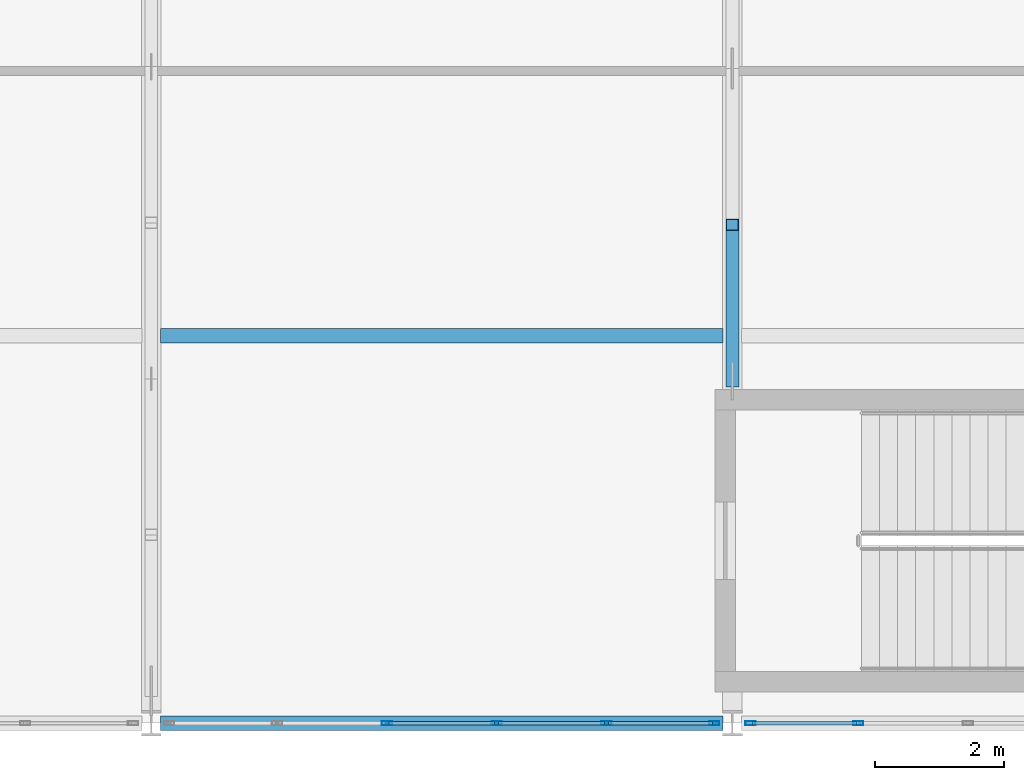
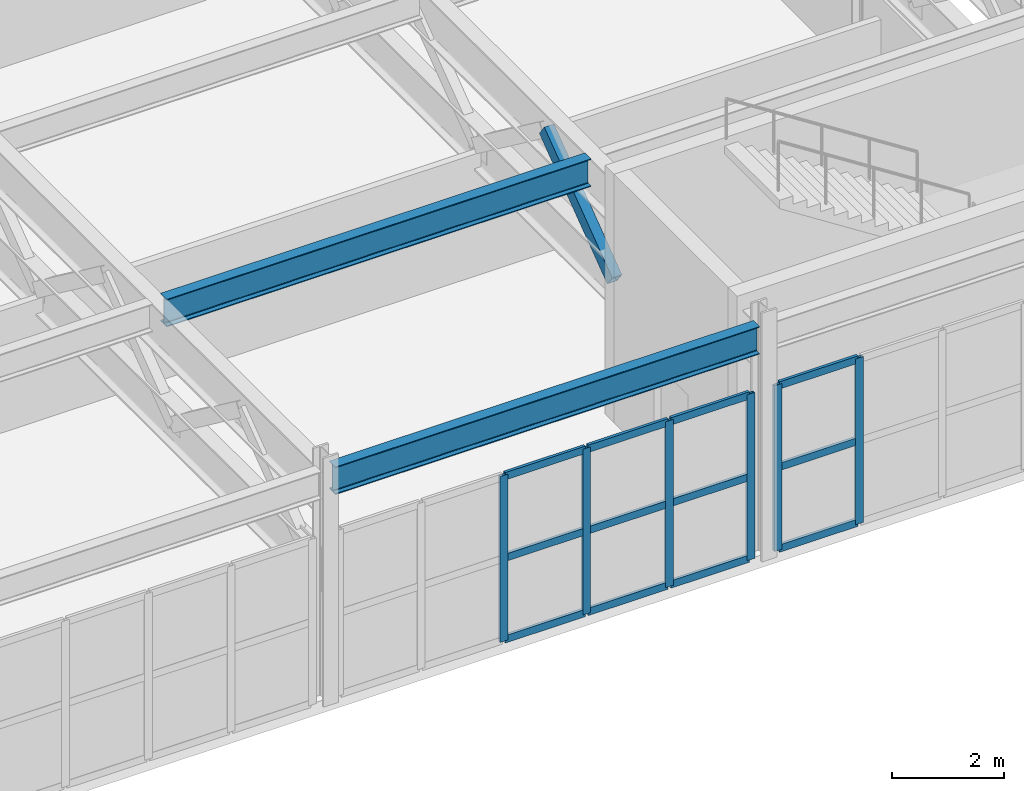
# One storey, part 39 of 210: 19 members, 2 beams, 2 elements without a shape of their own.
"""IFC4 building model written with IfcOpenShell, lengths in metres."""

import ifcopenshell
import ifcopenshell.guid

model = None  # the IFC model being written
_history = None  # IfcOwnerHistory: only IFC2X3 demands one
_inside = {}  # id of a spatial element -> (the spatial element, [elements in it])
_under = {}  # id of a project, library or spatial element -> (it, [spatial elements below it])
_declared = {}  # id of a project -> (the project, [libraries it declares])
_typed = {}  # id of a type object -> (the type object, [elements of that type])
_made_of = {}  # id of a material, layer set ... -> (it, [elements and type objects made of it])


def new_model(schema):
    """Start an empty IFC model of exactly this schema.

    Asked for "IFC4X3", IfcOpenShell would pick the latest addendum, in which some entities
    have other attributes; the version numbers below select the first issue.
    IFC2X3 requires an IfcOwnerHistory on every rooted entity: one is made here for all.
    """
    global model, _history
    if schema == "IFC4X3":
        model = ifcopenshell.file(schema_version=(4, 3, 0, 0))
    else:
        model = ifcopenshell.file(schema=schema)
    _inside.clear()
    _under.clear()
    _declared.clear()
    _typed.clear()
    _made_of.clear()
    _history = None
    if model.schema == "IFC2X3":
        org = make("IfcOrganization", Name="unknown")
        user = make(
            "IfcPersonAndOrganization",
            ThePerson=make("IfcPerson", FamilyName="unknown"),
            TheOrganization=org,
        )
        app = make(
            "IfcApplication",
            ApplicationDeveloper=org,
            Version="unknown",
            ApplicationFullName="unknown",
            ApplicationIdentifier="unknown",
        )
        _history = make(
            "IfcOwnerHistory",
            OwningUser=user,
            OwningApplication=app,
            ChangeAction="ADDED",
            CreationDate=0,
        )
    return model


def make(cls, **values):
    """One entity of the class cls with the attributes given. An attribute that is None is left unset."""
    return model.create_entity(
        cls, **{name: value for name, value in values.items() if value is not None}
    )


def rooted(cls, **values):
    """An entity with a GlobalId (a new one), such as an element, a storey or a relation."""
    return make(cls, GlobalId=ifcopenshell.guid.new(), OwnerHistory=_history, **values)


def si_unit(unit_type, name, prefix=None):
    """IfcSIUnit, for example si_unit("LENGTHUNIT", "METRE", prefix="MILLI")."""
    return make("IfcSIUnit", UnitType=unit_type, Prefix=prefix, Name=name)


def assignment(units):
    """IfcUnitAssignment: the units of a project."""
    return None if units is None else make("IfcUnitAssignment", Units=units)


def point(xyz):
    """IfcCartesianPoint."""
    return None if xyz is None else make("IfcCartesianPoint", Coordinates=xyz)


def direction(xyz):
    """IfcDirection."""
    return None if xyz is None else make("IfcDirection", DirectionRatios=xyz)


def frame(location, z_axis=None, x_axis=None):
    """IfcAxis2Placement3D, a coordinate frame: its origin and axes. An axis left out is left unset."""
    return make(
        "IfcAxis2Placement3D",
        Location=point(location),
        Axis=direction(z_axis),
        RefDirection=direction(x_axis),
    )


def frame_2d(location, x_axis=None):
    """IfcAxis2Placement2D, a coordinate frame in the plane: its origin and x axis."""
    return make(
        "IfcAxis2Placement2D", Location=point(location), RefDirection=direction(x_axis)
    )


def origin():
    """The frame at (0, 0, 0) with its axes left unset."""
    return frame((0.0, 0.0, 0.0))


def origin_2d():
    """The frame at (0, 0) in the plane with its x axis left unset."""
    return frame_2d((0.0, 0.0))


def place(relative_to, where):
    """IfcLocalPlacement: puts the frame where relative to a parent placement (None: the world)."""
    return make(
        "IfcLocalPlacement", PlacementRelTo=relative_to, RelativePlacement=where
    )


def context(
    kind, dimensions, precision=None, world=None, true_north=None, identifier=None
):
    """IfcGeometricRepresentationContext, for example the 3D "Model" context."""
    return make(
        "IfcGeometricRepresentationContext",
        ContextIdentifier=identifier,
        ContextType=kind,
        CoordinateSpaceDimension=dimensions,
        Precision=precision,
        WorldCoordinateSystem=world,
        TrueNorth=true_north,
    )


def subcontext(parent, identifier, kind, view, scale=None):
    """IfcGeometricRepresentationSubContext, for example "Body" below "Model"."""
    return make(
        "IfcGeometricRepresentationSubContext",
        ContextIdentifier=identifier,
        ContextType=kind,
        ParentContext=parent,
        TargetScale=scale,
        TargetView=view,
    )


def project(units=None, contexts=None):
    """IfcProject with its units and contexts."""
    return rooted(
        "IfcProject",
        Name="project",
        RepresentationContexts=contexts,
        UnitsInContext=assignment(units),
    )


def spatial(cls, under=None, at=None, **own):
    """A site, building, storey or space (cls), placed at a placement, below another one or the project."""
    s = rooted(cls, ObjectPlacement=at, **own)
    if under is not None:
        _under.setdefault(under.id(), (under, []))[1].append(s)
    return s


def profile(cls, at=None, kind="AREA", **sizes):
    """A parametric profile (cls). Its sizes go by their IFC names, for example OverallWidth=200.0."""
    return make(cls, ProfileType=kind, Position=at, **sizes)


def hollow_rectangle(**sizes):
    """IfcRectangleHollowProfileDef."""
    return profile("IfcRectangleHollowProfileDef", **sizes)


def i_section(**sizes):
    """IfcIShapeProfileDef."""
    return profile("IfcIShapeProfileDef", **sizes)


def extrude(swept, where, along, depth):
    """IfcExtrudedAreaSolid: the profile swept, set in the frame where, extruded along a direction by depth."""
    return make(
        "IfcExtrudedAreaSolid",
        SweptArea=swept,
        Position=where,
        ExtrudedDirection=direction(along),
        Depth=depth,
    )


def shape(context_of_items, identifier, shape_type, items):
    """IfcShapeRepresentation: the items that make up one representation, for example the "Body"."""
    return make(
        "IfcShapeRepresentation",
        ContextOfItems=context_of_items,
        RepresentationIdentifier=identifier,
        RepresentationType=shape_type,
        Items=items,
    )


def material(Name=None, Category=None):
    """IfcMaterial."""
    return make("IfcMaterial", Name=Name, Category=Category)


def material_profile(
    of_material, cross_section, Name=None, Category=None, Priority=None
):
    """IfcMaterialProfile: a cross section and its material."""
    return make(
        "IfcMaterialProfile",
        Name=Name,
        Material=of_material,
        Profile=cross_section,
        Priority=Priority,
        Category=Category,
    )


def profile_set(profiles, Name=None, composite=None):
    """IfcMaterialProfileSet."""
    return make(
        "IfcMaterialProfileSet",
        Name=Name,
        MaterialProfiles=profiles,
        CompositeProfile=composite,
    )


def made_of(thing, what):
    """Note that an element or type object is made of a material, layer set ...; save() writes the relation."""
    if what is not None:
        _made_of.setdefault(what.id(), (what, []))[1].append(thing)
    return thing


def type_object(cls, material=None, **own):
    """A type object (cls), such as IfcWallType, which elements share."""
    return made_of(rooted(cls, **own), material)


def element(
    cls,
    number,
    at=None,
    inside=None,
    cuts=None,
    type_object=None,
    material=None,
    context=None,
    identifier="Body",
    shape_type=None,
    held_by="IfcProductDefinitionShape",
    body=None,
    shapes=None,
    **own,
):
    """One element of the class cls, such as IfcWall. Its Tag is "e" and its number.

    at: its placement. inside: the storey or other place that contains it. cuts: it is an
    opening in that element (IfcRelVoidsElement). A single representation is given by context,
    identifier, shape_type and body (its items); several are given by shapes. held_by: the class
    of the entity that holds the representations. save() writes the other relations.
    """
    e = rooted(cls, Tag="e%d" % number, ObjectPlacement=at, **own)
    if body is not None:
        shapes = [shape(context, identifier, shape_type, body)]
    if shapes is not None:
        e.Representation = make(held_by, Representations=shapes)
    if inside is not None:
        _inside.setdefault(inside.id(), (inside, []))[1].append(e)
    if cuts is not None:
        rooted(
            "IfcRelVoidsElement", RelatingBuildingElement=cuts, RelatedOpeningElement=e
        )
    if type_object is not None:
        _typed.setdefault(type_object.id(), (type_object, []))[1].append(e)
    return made_of(e, material)


def aggregate(whole, parts):
    """IfcRelAggregates: a whole, such as a stair, and the parts it consists of."""
    return rooted("IfcRelAggregates", RelatingObject=whole, RelatedObjects=parts)


def save(model, path):
    """Write the relations noted so far, then the file.

    IfcRelAggregates (storeys below a building ...), IfcRelContainedInSpatialStructure (elements
    in a storey), IfcRelDefinesByType, IfcRelAssociatesMaterial and IfcRelDeclares: one each for
    every whole, place, type object, material and project.
    """
    for whole, parts in _under.values():
        aggregate(whole, parts)
    for where, things in _inside.values():
        rooted(
            "IfcRelContainedInSpatialStructure",
            RelatedElements=things,
            RelatingStructure=where,
        )
    for kind, things in _typed.values():
        rooted("IfcRelDefinesByType", RelatedObjects=things, RelatingType=kind)
    for what, things in _made_of.values():
        rooted("IfcRelAssociatesMaterial", RelatedObjects=things, RelatingMaterial=what)
    for by, libraries in _declared.values():
        rooted("IfcRelDeclares", RelatingContext=by, RelatedDefinitions=libraries)
    model.write(path)


model = new_model("IFC4")

# Units and contexts
model_context = context("Model", 3, precision=1e-05, world=origin(), true_north=direction((0.0, 1.0)))
body_context = subcontext(model_context, "Body", "Model", "MODEL_VIEW")
ifc_project = project(units=[si_unit("LENGTHUNIT", "METRE"), si_unit("AREAUNIT", "SQUARE_METRE"), si_unit("VOLUMEUNIT", "CUBIC_METRE"), si_unit("PLANEANGLEUNIT", "RADIAN"), si_unit("MASSUNIT", "GRAM", prefix="KILO")], contexts=[model_context])

# Site, building, storey
site_placement = place(None, origin())
site = spatial("IfcSite", under=ifc_project, at=site_placement, CompositionType="ELEMENT")
building_placement = place(site_placement, origin())
building = spatial("IfcBuilding", under=site, at=building_placement, Name="Kaldris Quays Convention Centre", CompositionType="ELEMENT")
storey_placement = place(building_placement, frame((0.0, 0.0, 6.0)))
storey = spatial("IfcBuildingStorey", under=building, at=storey_placement, Name="L01", CompositionType="ELEMENT", Elevation=6.0)

# Curtain wall, members
ifc_material_1 = material(Name="Anodized aluminium AW-6060 and triple glazing", Category="aluminium")
curtain_wall_type = type_object("IfcCurtainWallType", Name="UNITISED CURTAIN WALL CW05", PredefinedType="NOTDEFINED", material=ifc_material_1)
curtain_wall_1_placement = place(storey_placement, origin())
curtain_wall_1 = element("IfcCurtainWall", 1, at=curtain_wall_1_placement, inside=storey, type_object=curtain_wall_type, Name="L01 Unitised Curtain Wall CW05 69", PredefinedType="NOTDEFINED")
ifc_material_2 = material(Name="Anodized aluminium AW-6060", Category="aluminium")
ifc_material_profile_1 = material_profile(ifc_material_2, hollow_rectangle(XDim=0.06005859375, YDim=0.159912109375, WallThickness=0.00390625, at=origin_2d()), Name="RHS 160x60x4")
ifc_profile_set_1 = profile_set([ifc_material_profile_1], Name="Anodized aluminium AW-6060")
member_type_1 = type_object("IfcMemberType", Name="CURTAIN MULLION CWM1", PredefinedType="MULLION", material=ifc_profile_set_1)
member_1_placement = place(storey_placement, frame((68.64990234375, 16.0, 0.0), z_axis=(0.0, 0.0, 1.0), x_axis=(0.0, 1.0, 0.0)))
member_1 = element("IfcMember", 2, at=member_1_placement, type_object=member_type_1, Name="CW05 mullion 3", PredefinedType="MULLION", context=body_context, shape_type="SweptSolid", body=[
    extrude(hollow_rectangle(XDim=0.06005859375, YDim=0.159912109375, WallThickness=0.00390625, at=origin_2d()), origin(), (0.0, 0.0, 1.0), 3.60009765625),
])
member_2_placement = place(storey_placement, frame((70.35009765625, 16.0, 0.0), z_axis=(0.0, 0.0, 1.0), x_axis=(0.0, 1.0, 0.0)))
member_2 = element("IfcMember", 3, at=member_2_placement, type_object=member_type_1, Name="CW05 mullion 4", PredefinedType="MULLION", context=body_context, shape_type="SweptSolid", body=[
    extrude(hollow_rectangle(XDim=0.06005859375, YDim=0.159912109375, WallThickness=0.00390625, at=origin_2d()), origin(), (0.0, 0.0, 1.0), 3.60009765625),
])
member_3_placement = place(storey_placement, frame((72.050048828125, 16.0, 0.0), z_axis=(0.0, 0.0, 1.0), x_axis=(0.0, 1.0, 0.0)))
member_3 = element("IfcMember", 4, at=member_3_placement, type_object=member_type_1, Name="CW05 mullion 5", PredefinedType="MULLION", context=body_context, shape_type="SweptSolid", body=[
    extrude(hollow_rectangle(XDim=0.06005859375, YDim=0.159912109375, WallThickness=0.00390625, at=origin_2d()), origin(), (0.0, 0.0, 1.0), 3.60009765625),
])
member_4_placement = place(storey_placement, frame((73.719970703125, 16.0, 0.0), z_axis=(0.0, 0.0, 1.0), x_axis=(0.0, 1.0, 0.0)))
member_4 = element("IfcMember", 5, at=member_4_placement, type_object=member_type_1, Name="CW05 mullion 6", PredefinedType="MULLION", context=body_context, shape_type="SweptSolid", body=[
    extrude(hollow_rectangle(XDim=0.06005859375, YDim=0.159912109375, WallThickness=0.00390625, at=origin_2d()), origin(), (0.0, 0.0, 1.0), 3.60009765625),
])

curtain_wall_2_placement = place(storey_placement, origin())
curtain_wall_2 = element("IfcCurtainWall", 6, at=curtain_wall_2_placement, inside=storey, type_object=curtain_wall_type, Name="L01 Unitised Curtain Wall CW05 71", PredefinedType="NOTDEFINED")
member_5_placement = place(storey_placement, frame((74.280029296875, 16.0, 0.0), z_axis=(0.0, 0.0, 1.0), x_axis=(0.0, 1.0, 0.0)))
member_5 = element("IfcMember", 7, at=member_5_placement, type_object=member_type_1, Name="CW05 mullion 1", PredefinedType="MULLION", context=body_context, shape_type="SweptSolid", body=[
    extrude(hollow_rectangle(XDim=0.06005859375, YDim=0.159912109375, WallThickness=0.00390625, at=origin_2d()), origin(), (0.0, 0.0, 1.0), 3.60009765625),
])
member_6_placement = place(storey_placement, frame((75.949951171875, 16.0, 0.0), z_axis=(0.0, 0.0, 1.0), x_axis=(0.0, 1.0, 0.0)))
member_6 = element("IfcMember", 8, at=member_6_placement, type_object=member_type_1, Name="CW05 mullion 2", PredefinedType="MULLION", context=body_context, shape_type="SweptSolid", body=[
    extrude(hollow_rectangle(XDim=0.06005859375, YDim=0.159912109375, WallThickness=0.00390625, at=origin_2d()), origin(), (0.0, 0.0, 1.0), 3.60009765625),
])

# Member
ifc_material_profile_2 = material_profile(ifc_material_2, hollow_rectangle(XDim=0.06005859375, YDim=0.159912109375, WallThickness=0.00390625, at=origin_2d()), Name="RHS 160x60x4")
ifc_profile_set_2 = profile_set([ifc_material_profile_2], Name="Anodized aluminium AW-6060")
member_type_2 = type_object("IfcMemberType", Name="CURTAIN TRANSOM CWT2", PredefinedType="USERDEFINED", material=ifc_profile_set_2)
member_7_placement = place(storey_placement, frame((68.679931640625, 16.0, 0.030029296875), z_axis=(1.0, 0.0, 0.0), x_axis=(0.0, 1.0, 0.0)))
member_7 = element("IfcMember", 9, at=member_7_placement, type_object=member_type_2, Name="CW05 transom 3.1", ObjectType="TRANSOM", PredefinedType="USERDEFINED", context=body_context, shape_type="SweptSolid", body=[
    extrude(hollow_rectangle(XDim=0.06005859375, YDim=0.159912109375, WallThickness=0.00390625, at=origin_2d()), origin(), (0.0, 0.0, 1.0), 1.64013671875),
])

member_8_placement = place(storey_placement, frame((68.679931640625, 16.0, 1.800048828125), z_axis=(1.0, 0.0, 0.0), x_axis=(0.0, 1.0, 0.0)))
member_8 = element("IfcMember", 10, at=member_8_placement, type_object=member_type_2, Name="CW05 transom 3.2", ObjectType="TRANSOM", PredefinedType="USERDEFINED", context=body_context, shape_type="SweptSolid", body=[
    extrude(hollow_rectangle(XDim=0.06005859375, YDim=0.159912109375, WallThickness=0.00390625, at=origin_2d()), origin(), (0.0, 0.0, 1.0), 1.64013671875),
])

member_9_placement = place(storey_placement, frame((68.679931640625, 16.0, 3.570068359375), z_axis=(1.0, 0.0, 0.0), x_axis=(0.0, 1.0, 0.0)))
member_9 = element("IfcMember", 11, at=member_9_placement, type_object=member_type_2, Name="CW05 transom 3.3", ObjectType="TRANSOM", PredefinedType="USERDEFINED", context=body_context, shape_type="SweptSolid", body=[
    extrude(hollow_rectangle(XDim=0.06005859375, YDim=0.159912109375, WallThickness=0.00390625, at=origin_2d()), origin(), (0.0, 0.0, 1.0), 1.64013671875),
])

member_10_placement = place(storey_placement, frame((70.3798828125, 16.0, 0.030029296875), z_axis=(1.0, 0.0, 0.0), x_axis=(0.0, 1.0, 0.0)))
member_10 = element("IfcMember", 12, at=member_10_placement, type_object=member_type_2, Name="CW05 transom 4.1", ObjectType="TRANSOM", PredefinedType="USERDEFINED", context=body_context, shape_type="SweptSolid", body=[
    extrude(hollow_rectangle(XDim=0.06005859375, YDim=0.159912109375, WallThickness=0.00390625, at=origin_2d()), origin(), (0.0, 0.0, 1.0), 1.64013671875),
])

member_11_placement = place(storey_placement, frame((70.3798828125, 16.0, 1.800048828125), z_axis=(1.0, 0.0, 0.0), x_axis=(0.0, 1.0, 0.0)))
member_11 = element("IfcMember", 13, at=member_11_placement, type_object=member_type_2, Name="CW05 transom 4.2", ObjectType="TRANSOM", PredefinedType="USERDEFINED", context=body_context, shape_type="SweptSolid", body=[
    extrude(hollow_rectangle(XDim=0.06005859375, YDim=0.159912109375, WallThickness=0.00390625, at=origin_2d()), origin(), (0.0, 0.0, 1.0), 1.64013671875),
])

member_12_placement = place(storey_placement, frame((70.3798828125, 16.0, 3.570068359375), z_axis=(1.0, 0.0, 0.0), x_axis=(0.0, 1.0, 0.0)))
member_12 = element("IfcMember", 14, at=member_12_placement, type_object=member_type_2, Name="CW05 transom 4.3", ObjectType="TRANSOM", PredefinedType="USERDEFINED", context=body_context, shape_type="SweptSolid", body=[
    extrude(hollow_rectangle(XDim=0.06005859375, YDim=0.159912109375, WallThickness=0.00390625, at=origin_2d()), origin(), (0.0, 0.0, 1.0), 1.64013671875),
])

member_13_placement = place(storey_placement, frame((72.080078125, 16.0, 0.030029296875), z_axis=(1.0, 0.0, 0.0), x_axis=(0.0, 1.0, 0.0)))
member_13 = element("IfcMember", 15, at=member_13_placement, type_object=member_type_2, Name="CW05 transom 5.1", ObjectType="TRANSOM", PredefinedType="USERDEFINED", context=body_context, shape_type="SweptSolid", body=[
    extrude(hollow_rectangle(XDim=0.06005859375, YDim=0.159912109375, WallThickness=0.00390625, at=origin_2d()), origin(), (0.0, 0.0, 1.0), 1.60986328125),
])

member_14_placement = place(storey_placement, frame((72.080078125, 16.0, 1.800048828125), z_axis=(1.0, 0.0, 0.0), x_axis=(0.0, 1.0, 0.0)))
member_14 = element("IfcMember", 16, at=member_14_placement, type_object=member_type_2, Name="CW05 transom 5.2", ObjectType="TRANSOM", PredefinedType="USERDEFINED", context=body_context, shape_type="SweptSolid", body=[
    extrude(hollow_rectangle(XDim=0.06005859375, YDim=0.159912109375, WallThickness=0.00390625, at=origin_2d()), origin(), (0.0, 0.0, 1.0), 1.60986328125),
])

member_15_placement = place(storey_placement, frame((72.080078125, 16.0, 3.570068359375), z_axis=(1.0, 0.0, 0.0), x_axis=(0.0, 1.0, 0.0)))
member_15 = element("IfcMember", 17, at=member_15_placement, type_object=member_type_2, Name="CW05 transom 5.3", ObjectType="TRANSOM", PredefinedType="USERDEFINED", context=body_context, shape_type="SweptSolid", body=[
    extrude(hollow_rectangle(XDim=0.06005859375, YDim=0.159912109375, WallThickness=0.00390625, at=origin_2d()), origin(), (0.0, 0.0, 1.0), 1.60986328125),
])

aggregate(curtain_wall_1, [member_1, member_2, member_3, member_4, member_7, member_8, member_9, member_10, member_11, member_12, member_13, member_14, member_15])

member_16_placement = place(storey_placement, frame((74.31005859375, 16.0, 0.030029296875), z_axis=(1.0, 0.0, 0.0), x_axis=(0.0, 1.0, 0.0)))
member_16 = element("IfcMember", 18, at=member_16_placement, type_object=member_type_2, Name="CW05 transom 1.1", ObjectType="TRANSOM", PredefinedType="USERDEFINED", context=body_context, shape_type="SweptSolid", body=[
    extrude(hollow_rectangle(XDim=0.06005859375, YDim=0.159912109375, WallThickness=0.00390625, at=origin_2d()), origin(), (0.0, 0.0, 1.0), 1.60986328125),
])

member_17_placement = place(storey_placement, frame((74.31005859375, 16.0, 1.800048828125), z_axis=(1.0, 0.0, 0.0), x_axis=(0.0, 1.0, 0.0)))
member_17 = element("IfcMember", 19, at=member_17_placement, type_object=member_type_2, Name="CW05 transom 1.2", ObjectType="TRANSOM", PredefinedType="USERDEFINED", context=body_context, shape_type="SweptSolid", body=[
    extrude(hollow_rectangle(XDim=0.06005859375, YDim=0.159912109375, WallThickness=0.00390625, at=origin_2d()), origin(), (0.0, 0.0, 1.0), 1.60986328125),
])

member_18_placement = place(storey_placement, frame((74.31005859375, 16.0, 3.570068359375), z_axis=(1.0, 0.0, 0.0), x_axis=(0.0, 1.0, 0.0)))
member_18 = element("IfcMember", 20, at=member_18_placement, type_object=member_type_2, Name="CW05 transom 1.3", ObjectType="TRANSOM", PredefinedType="USERDEFINED", context=body_context, shape_type="SweptSolid", body=[
    extrude(hollow_rectangle(XDim=0.06005859375, YDim=0.159912109375, WallThickness=0.00390625, at=origin_2d()), origin(), (0.0, 0.0, 1.0), 1.60986328125),
])

aggregate(curtain_wall_2, [member_5, member_6, member_16, member_17, member_18])

# Beams
ifc_material_3 = material(Name="Steel S355J2", Category="steel")
ifc_material_profile_3 = material_profile(ifc_material_3, i_section(OverallWidth=0.219970703125, OverallDepth=0.60009765625, WebThickness=0.011962890625, FlangeThickness=0.01904296875, FilletRadius=0.02392578125, at=origin_2d()), Name="IPE 600")
ifc_profile_set_3 = profile_set([ifc_material_profile_3], Name="Steel S355J2")
beam_type = type_object("IfcBeamType", Name="STRUCTURAL BEAM BM10", PredefinedType="BEAM", material=ifc_profile_set_3)
for number, where, z_axis, x_axis, name in (
    (21, (65.14501953125, 16.0, 4.758056640625), (1.0, 0.0, 0.0), (0.0, 1.0, 0.0), "L01 Ballroom Tie Beam BM10"),
    (22, (65.14501953125, 22.0, 4.758056640625), (1.0, 0.0, 0.0), (0.0, 1.0, 0.0), "L01 Ballroom Tie Beam BM10"),
):
    element("IfcBeam", number, at=place(storey_placement, frame(where, z_axis=z_axis, x_axis=x_axis)), inside=storey, type_object=beam_type, Name=name, PredefinedType="BEAM", context=body_context, shape_type="SweptSolid", body=[
        extrude(i_section(OverallWidth=0.219970703125, OverallDepth=0.60009765625, WebThickness=0.011962890625, FlangeThickness=0.01904296875, FilletRadius=0.02392578125, at=origin_2d()), origin(), (0.0, 0.0, 1.0), 8.7099609375),
    ])

# Member
ifc_material_4 = material(Name="Steel S355J2H", Category="steel")
ifc_material_profile_4 = material_profile(ifc_material_4, hollow_rectangle(XDim=0.199951171875, YDim=0.300048828125, WallThickness=0.012451171875, at=origin_2d()), Name="RHS 300x200x12.5")
ifc_profile_set_4 = profile_set([ifc_material_profile_4], Name="Steel S355J2H")
member_type_3 = type_object("IfcMemberType", Name="STRUCTURAL MEMBER TTD1", PredefinedType="BRACE", material=ifc_profile_set_4)
member_19_placement = place(storey_placement, frame((74.0, 21.300048828125, 2.75), z_axis=(0.0, 0.801084905857, 0.598550727681), x_axis=(-1.0, 0.0, 0.0)))
element("IfcMember", 23, at=member_19_placement, inside=storey, type_object=member_type_3, Name="Transfer Truss TT07 Diagonal 1", PredefinedType="BRACE", context=body_context, shape_type="SweptSolid", body=[
    extrude(hollow_rectangle(XDim=0.199951171875, YDim=0.300048828125, WallThickness=0.012451171875, at=origin_2d()), origin(), (0.0, 0.0, 1.0), 3.020751953125),
])

save(model, "model.ifc")
